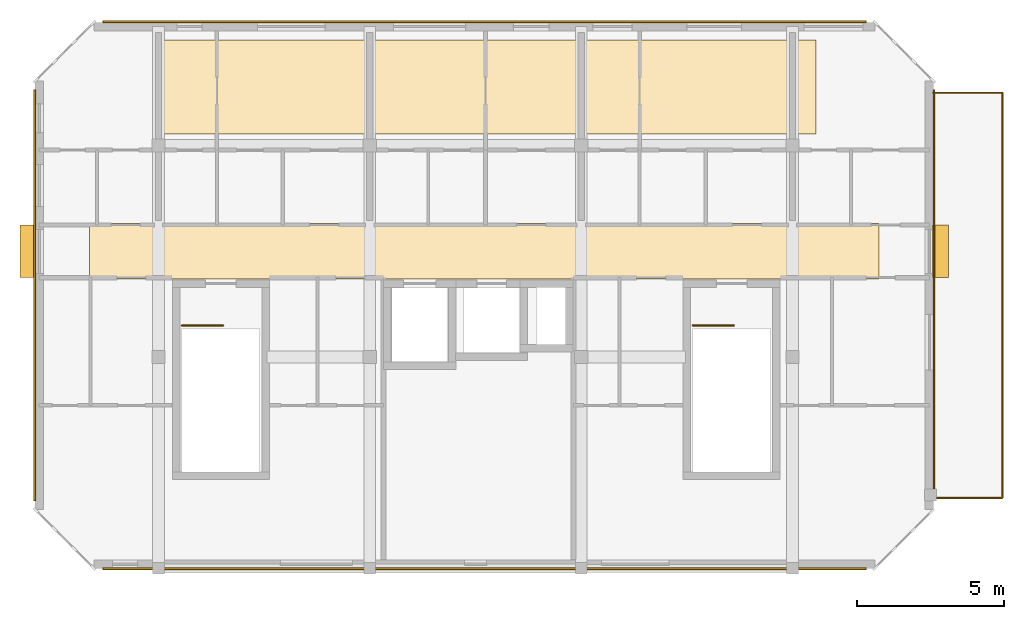
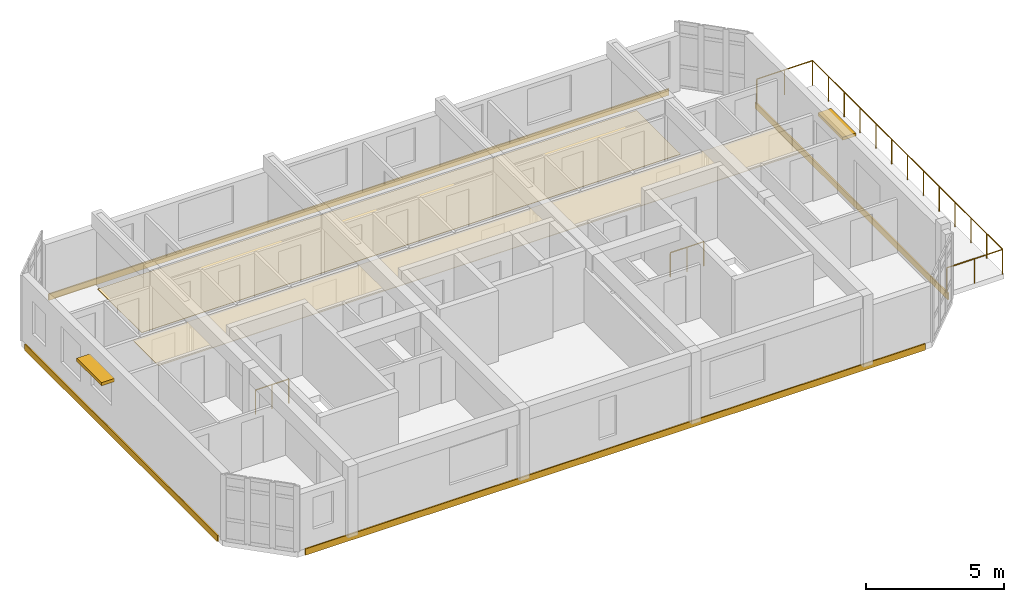
# One storey, part 6 of 6: 6 coverings, 3 railings, 2 shading devices.
"""IFC4 building model written with IfcOpenShell, lengths in metres."""

from ifc_helpers import new_model, si_unit, direction, frame, origin, origin_2d, place, context, subcontext, project, spatial, polyline, rectangle, circle, outline, extrude, material, layer, layer_set, type_object, element, save


model = new_model("IFC4")

# Units and contexts
model_context = context("Model", 3, precision=1e-05, world=origin(), true_north=direction((0.0, 1.0)))
body_context = subcontext(model_context, "Body", "Model", "MODEL_VIEW")
ifc_project = project(units=[si_unit("LENGTHUNIT", "METRE"), si_unit("AREAUNIT", "SQUARE_METRE"), si_unit("VOLUMEUNIT", "CUBIC_METRE"), si_unit("PLANEANGLEUNIT", "RADIAN"), si_unit("MASSUNIT", "GRAM", prefix="KILO")], contexts=[model_context])

# Site, building, storey
site_placement = place(None, origin())
site = spatial("IfcSite", under=ifc_project, at=site_placement, CompositionType="ELEMENT")
building_placement = place(site_placement, origin())
building = spatial("IfcBuilding", under=site, at=building_placement, Name="Ochrevale Crest", CompositionType="ELEMENT")
storey_placement = place(building_placement, frame((0.0, 0.0, 49.64990234375)))
storey = spatial("IfcBuildingStorey", under=building, at=storey_placement, Name="L15", CompositionType="ELEMENT", Elevation=49.64990234375)

# Coverings
ifc_material_1 = material(Name="Gypsum plasterboard", Category="gypsum")
ifc_layer_1 = layer(ifc_material_1, 0.02490234375)
ifc_layer_set_1 = layer_set([ifc_layer_1], Name="Gypsum plasterboard")
covering_type_1 = type_object("IfcCoveringType", Name="COV-CEIL-GYP", PredefinedType="CEILING", material=ifc_layer_set_1)
covering_1_placement = place(storey_placement, frame((0.0, 0.0, 2.280029296875)))
element("IfcCovering", 1, at=covering_1_placement, inside=storey, type_object=covering_type_1, Name="Block D L15 acoustic corridor ceiling", PredefinedType="CEILING", context=body_context, shape_type="SweptSolid", body=[
    extrude(outline(polyline([(134.449951171875, 81.860107421875), (161.35009765625, 81.860107421875), (161.35009765625, 83.739990234375), (134.449951171875, 83.739990234375), (134.449951171875, 81.860107421875)])), origin(), (0.0, 0.0, 1.0), 0.025146484375),
])
ifc_material_2 = material(Name="Glazed terracotta rainscreen tile", Category="masonry")
ifc_layer_2 = layer(ifc_material_2, 0.048095703125)
ifc_layer_set_2 = layer_set([ifc_layer_2], Name="Glazed terracotta rainscreen tile")
covering_type_2 = type_object("IfcCoveringType", Name="COV-CLAD-TER", PredefinedType="CLADDING", material=ifc_layer_set_2)
covering_2_placement = place(storey_placement, frame((147.89990234375, 71.985595703125, -0.259765625), z_axis=(0.0, 0.0, 1.0), x_axis=(1.0, 0.0, 0.0)))
element("IfcCovering", 2, at=covering_2_placement, inside=storey, type_object=covering_type_2, Name="Block D L15 terracotta slab-edge spandrel cladding", PredefinedType="CLADDING", context=body_context, shape_type="SweptSolid", body=[
    extrude(rectangle(XDim=26.0, YDim=0.06005859375, at=origin_2d()), origin(), (0.0, 0.0, 1.0), 0.280029296875),
])
covering_3_placement = place(storey_placement, frame((163.214599609375, 81.300048828125, -0.259765625), z_axis=(0.0, 0.0, 1.0), x_axis=(0.0, 1.0, 0.0)))
element("IfcCovering", 3, at=covering_3_placement, inside=storey, type_object=covering_type_2, Name="Block D L15 terracotta slab-edge spandrel cladding", PredefinedType="CLADDING", context=body_context, shape_type="SweptSolid", body=[
    extrude(rectangle(XDim=14.0, YDim=0.06005859375, at=origin_2d()), origin(), (0.0, 0.0, 1.0), 0.280029296875),
])
covering_4_placement = place(storey_placement, frame((147.89990234375, 90.614501953125, -0.259765625), z_axis=(0.0, 0.0, 1.0), x_axis=(-1.0, 0.0, 0.0)))
element("IfcCovering", 4, at=covering_4_placement, inside=storey, type_object=covering_type_2, Name="Block D L15 terracotta slab-edge spandrel cladding", PredefinedType="CLADDING", context=body_context, shape_type="SweptSolid", body=[
    extrude(rectangle(XDim=26.0, YDim=0.06005859375, at=origin_2d()), origin(), (0.0, 0.0, 1.0), 0.280029296875),
])
covering_5_placement = place(storey_placement, frame((132.58544921875, 81.300048828125, -0.259765625), z_axis=(0.0, 0.0, 1.0), x_axis=(0.0, -1.0, 0.0)))
element("IfcCovering", 5, at=covering_5_placement, inside=storey, type_object=covering_type_2, Name="Block D L15 terracotta slab-edge spandrel cladding", PredefinedType="CLADDING", context=body_context, shape_type="SweptSolid", body=[
    extrude(rectangle(XDim=14.0, YDim=0.06005859375, at=origin_2d()), origin(), (0.0, 0.0, 1.0), 0.280029296875),
])
ifc_material_3 = material(Name="Engineered spotted-gum hardwood flooring", Category="wood")
ifc_layer_3 = layer(ifc_material_3, 0.02001953125)
ifc_layer_set_3 = layer_set([ifc_layer_3], Name="Engineered spotted-gum hardwood flooring")
covering_type_3 = type_object("IfcCoveringType", Name="COV-FLR-TIM", PredefinedType="FLOORING", material=ifc_layer_set_3)
covering_6_placement = place(storey_placement, origin())
element("IfcCovering", 6, at=covering_6_placement, inside=storey, type_object=covering_type_3, Name="Block D L15 spotted-gum apartment flooring", PredefinedType="FLOORING", context=body_context, shape_type="SweptSolid", body=[
    extrude(outline(polyline([(136.60009765625, 86.800048828125), (159.199951171875, 86.800048828125), (159.199951171875, 90.0), (136.60009765625, 90.0), (136.60009765625, 86.800048828125)])), origin(), (0.0, 0.0, 1.0), 0.02001953125),
])

# Railings
ifc_material_4 = material(Name="Galvanised steel", Category="steel")
railing_type_1 = type_object("IfcRailingType", Name="RL-ST-GUARD", PredefinedType="BALUSTRADE", material=ifc_material_4)
for number, where, name in (
    (7, (137.60009765625, 80.27490234375, 0.0), "L15 ST-D1 top well guard 1"),
    (8, (155.0, 80.27490234375, 0.0), "L15 ST-D2 top well guard 1"),
):
    element("IfcRailing", number, at=place(storey_placement, frame(where)), inside=storey, type_object=railing_type_1, Name=name, PredefinedType="BALUSTRADE", context=body_context, shape_type="SweptSolid", body=[
        extrude(circle(Radius=0.02392578125, at=origin_2d()), frame((0.0, 0.0, 1.076171875), z_axis=(1.0, 0.0, 0.0), x_axis=(0.0, 1.0, 0.0)), (0.0, 0.0, 1.0), 1.39990234375),
        extrude(circle(Radius=0.02099609375, at=origin_2d()), origin(), (0.0, 0.0, 1.0), 1.052001953125),
        extrude(circle(Radius=0.02099609375, at=origin_2d()), frame((0.699951171875, 0.0, 0.0)), (0.0, 0.0, 1.0), 1.052001953125),
        extrude(circle(Radius=0.02099609375, at=origin_2d()), frame((1.39990234375, 0.0, 0.0)), (0.0, 0.0, 1.0), 1.052001953125),
    ])
railing_type_2 = type_object("IfcRailingType", Name="RL-TER-1120", PredefinedType="BALUSTRADE", material=ifc_material_4)
railing_placement = place(storey_placement, frame((163.199951171875, 74.39990234375, 0.0)))
element("IfcRailing", 9, at=railing_placement, inside=storey, type_object=railing_type_2, Name="Block D L15 stepped roof-terrace perimeter balustrade", PredefinedType="BALUSTRADE", context=body_context, shape_type="SweptSolid", body=[
    extrude(circle(Radius=0.02392578125, at=origin_2d()), frame((0.0, 0.0, 1.09619140625), z_axis=(1.0, 0.0, 0.0), x_axis=(0.0, 1.0, 0.0)), (0.0, 0.0, 1.0), 2.340087890625),
    extrude(circle(Radius=0.02392578125, at=origin_2d()), frame((2.340087890625, 0.0, 1.09619140625), z_axis=(0.0, 1.0, 0.0), x_axis=(-1.0, 0.0, 0.0)), (0.0, 0.0, 1.0), 13.800048828125),
    extrude(circle(Radius=0.02392578125, at=origin_2d()), frame((2.340087890625, 13.800048828125, 1.09619140625), z_axis=(-1.0, 0.0, 0.0), x_axis=(0.0, -1.0, 0.0)), (0.0, 0.0, 1.0), 2.340087890625),
    extrude(circle(Radius=0.02099609375, at=origin_2d()), origin(), (0.0, 0.0, 1.0), 1.072021484375),
    extrude(circle(Radius=0.02099609375, at=origin_2d()), frame((1.169921875, 0.0, 0.0)), (0.0, 0.0, 1.0), 1.072021484375),
    extrude(circle(Radius=0.02099609375, at=origin_2d()), frame((2.340087890625, 0.0, 0.0)), (0.0, 0.0, 1.0), 1.072021484375),
    extrude(circle(Radius=0.02099609375, at=origin_2d()), frame((2.340087890625, 1.14990234375, 0.0)), (0.0, 0.0, 1.0), 1.072021484375),
    extrude(circle(Radius=0.02099609375, at=origin_2d()), frame((2.340087890625, 2.300048828125, 0.0)), (0.0, 0.0, 1.0), 1.072021484375),
    extrude(circle(Radius=0.02099609375, at=origin_2d()), frame((2.340087890625, 3.449951171875, 0.0)), (0.0, 0.0, 1.0), 1.072021484375),
    extrude(circle(Radius=0.02099609375, at=origin_2d()), frame((2.340087890625, 4.60009765625, 0.0)), (0.0, 0.0, 1.0), 1.072021484375),
    extrude(circle(Radius=0.02099609375, at=origin_2d()), frame((2.340087890625, 5.75, 0.0)), (0.0, 0.0, 1.0), 1.072021484375),
    extrude(circle(Radius=0.02099609375, at=origin_2d()), frame((2.340087890625, 6.89990234375, 0.0)), (0.0, 0.0, 1.0), 1.072021484375),
    extrude(circle(Radius=0.02099609375, at=origin_2d()), frame((2.340087890625, 8.050048828125, 0.0)), (0.0, 0.0, 1.0), 1.072021484375),
    extrude(circle(Radius=0.02099609375, at=origin_2d()), frame((2.340087890625, 9.199951171875, 0.0)), (0.0, 0.0, 1.0), 1.072021484375),
    extrude(circle(Radius=0.02099609375, at=origin_2d()), frame((2.340087890625, 10.35009765625, 0.0)), (0.0, 0.0, 1.0), 1.072021484375),
    extrude(circle(Radius=0.02099609375, at=origin_2d()), frame((2.340087890625, 11.5, 0.0)), (0.0, 0.0, 1.0), 1.072021484375),
    extrude(circle(Radius=0.02099609375, at=origin_2d()), frame((2.340087890625, 12.650146484375, 0.0)), (0.0, 0.0, 1.0), 1.072021484375),
    extrude(circle(Radius=0.02099609375, at=origin_2d()), frame((2.340087890625, 13.800048828125, 0.0)), (0.0, 0.0, 1.0), 1.072021484375),
    extrude(circle(Radius=0.02099609375, at=origin_2d()), frame((1.169921875, 13.800048828125, 0.0)), (0.0, 0.0, 1.0), 1.072021484375),
    extrude(circle(Radius=0.02099609375, at=origin_2d()), frame((0.0, 13.800048828125, 0.0)), (0.0, 0.0, 1.0), 1.072021484375),
])

# Shading devices
ifc_material_5 = material(Name="Anodised aluminium 6063-T5", Category="aluminium")
shading_device_type = type_object("IfcShadingDeviceType", Name="SHD-SUNSHADE-OC", PredefinedType="USERDEFINED", material=ifc_material_5)
for number, where, z_axis, x_axis, name in (
    (10, (132.360107421875, 82.800048828125, 2.2099609375), (0.0, 0.0, 1.0), (1.0, 0.0, 0.0), "Block D L15 gable window sunshade W"),
    (11, (163.43994140625, 82.800048828125, 2.2099609375), (0.0, 0.0, 1.0), (1.0, 0.0, 0.0), "Block D L15 gable window sunshade E"),
):
    element("IfcShadingDevice", number, at=place(storey_placement, frame(where, z_axis=z_axis, x_axis=x_axis)), inside=storey, type_object=shading_device_type, Name=name, ObjectType="HORIZONTAL SUNSHADE", PredefinedType="USERDEFINED", context=body_context, shape_type="SweptSolid", body=[
        extrude(rectangle(XDim=0.550048828125, YDim=1.800048828125, at=origin_2d()), origin(), (0.0, 0.0, 1.0), 0.139892578125),
    ])

save(model, "model.ifc")
